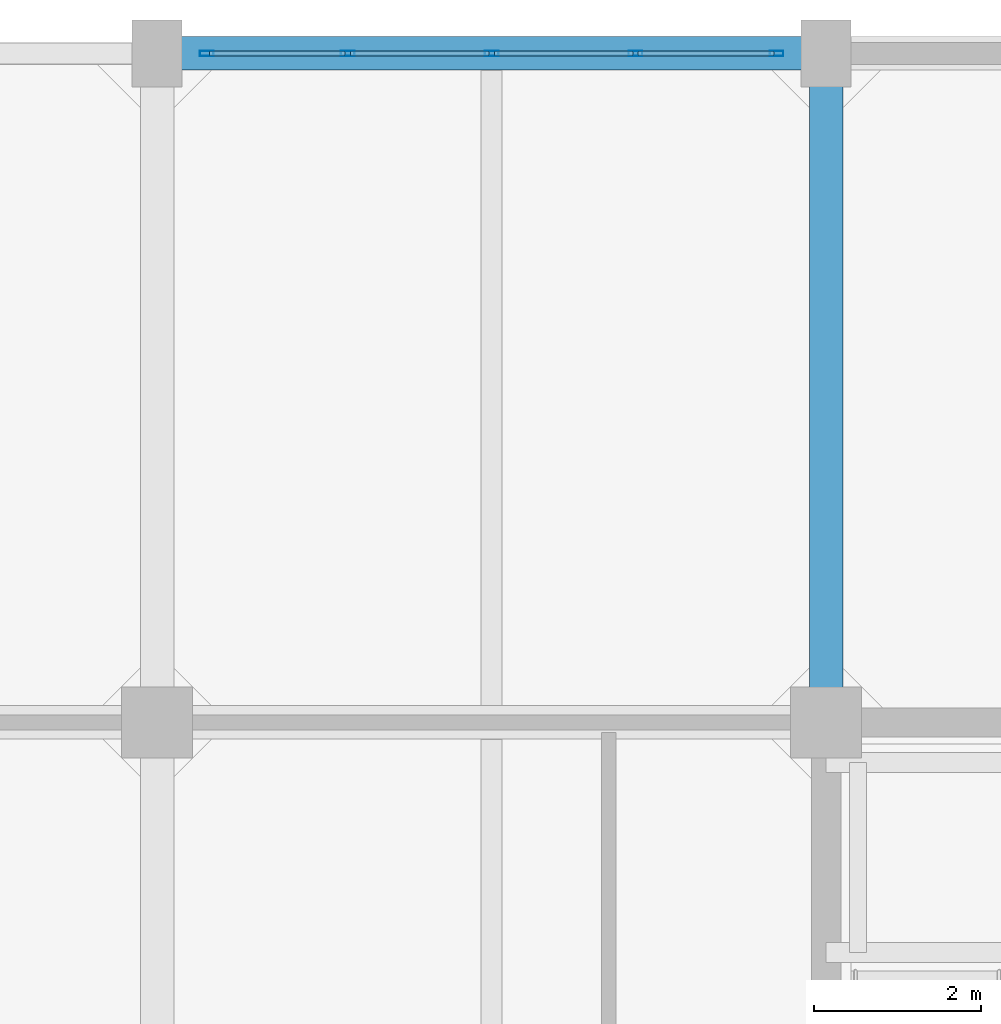
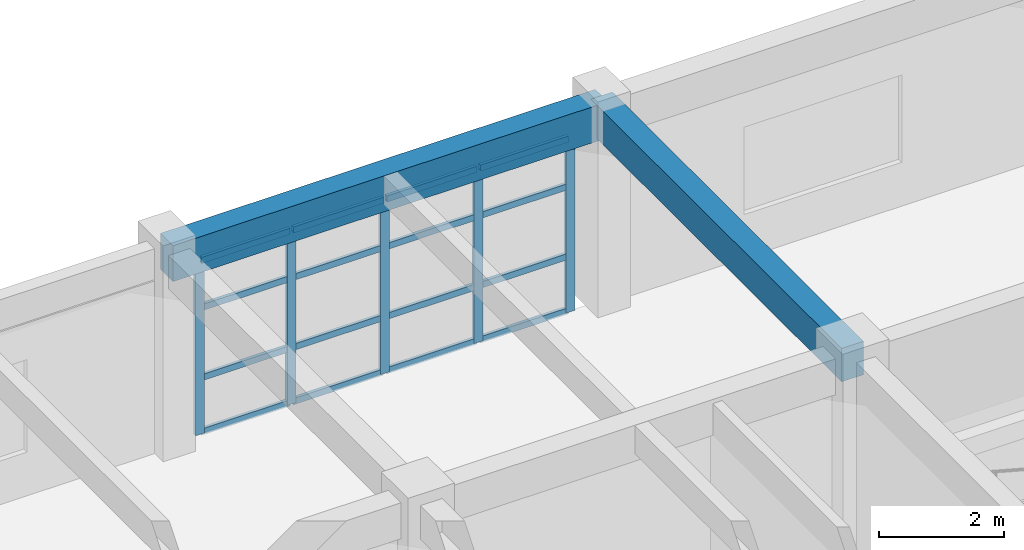
# One storey, part 15 of 27: 21 members, 2 beams, 1 element without a shape of its own.
"""IFC4 building model written with IfcOpenShell, lengths in metres."""

from ifc_helpers import new_model, si_unit, direction, frame, origin, origin_2d, place, context, subcontext, project, spatial, rectangle, hollow_rectangle, extrude, material, layer, layer_set, material_profile, profile_set, type_object, element, aggregate, save


model = new_model("IFC4")

# Units and contexts
model_context = context("Model", 3, precision=1e-05, world=origin(), true_north=direction((0.0, 1.0)))
body_context = subcontext(model_context, "Body", "Model", "MODEL_VIEW")
ifc_project = project(units=[si_unit("LENGTHUNIT", "METRE"), si_unit("AREAUNIT", "SQUARE_METRE"), si_unit("VOLUMEUNIT", "CUBIC_METRE"), si_unit("PLANEANGLEUNIT", "RADIAN"), si_unit("MASSUNIT", "GRAM", prefix="KILO")], contexts=[model_context])

# Site, building, storey
site_placement = place(None, origin())
site = spatial("IfcSite", under=ifc_project, at=site_placement, CompositionType="ELEMENT")
building_placement = place(site_placement, origin())
building = spatial("IfcBuilding", under=site, at=building_placement, Name="Canggui Botanical Conservatory", CompositionType="ELEMENT")
storey_placement = place(building_placement, frame((0.0, 0.0, 31.800048828125)))
storey = spatial("IfcBuildingStorey", under=building, at=storey_placement, Name="L08", CompositionType="ELEMENT", Elevation=31.800048828125)

# Beams
ifc_material_1 = material(Name="Concrete C35", Category="concrete")
ifc_material_profile_1 = material_profile(ifc_material_1, rectangle(XDim=0.39990234375, YDim=0.699951171875, at=origin_2d()), Name="RB 400x700")
ifc_profile_set_1 = profile_set([ifc_material_profile_1], Name="Concrete C35")
beam_type_1 = type_object("IfcBeamType", Name="BM-KL11", PredefinedType="BEAM", material=ifc_profile_set_1)
beam_1_placement = place(storey_placement, frame((146.0, 74.0, 3.6298828125), z_axis=(1.0, 0.0, 0.0), x_axis=(0.0, 1.0, 0.0)))
element("IfcBeam", 1, at=beam_1_placement, inside=storey, type_object=beam_type_1, Name="Frame Girder L08 Y74-2", PredefinedType="BEAM", context=body_context, shape_type="SweptSolid", body=[
    extrude(rectangle(XDim=0.39990234375, YDim=0.699951171875, at=origin_2d()), origin(), (0.0, 0.0, 1.0), 8.0),
])
ifc_material_profile_2 = material_profile(ifc_material_1, rectangle(XDim=0.39990234375, YDim=0.64990234375, at=origin_2d()), Name="RB 400x650")
ifc_profile_set_2 = profile_set([ifc_material_profile_2], Name="Concrete C35")
beam_type_2 = type_object("IfcBeamType", Name="BM-KL12", PredefinedType="BEAM", material=ifc_profile_set_2)
beam_2_placement = place(storey_placement, frame((154.0, 66.0, 3.655029296875), z_axis=(0.0, 1.0, 0.0), x_axis=(-1.0, 0.0, 0.0)))
element("IfcBeam", 2, at=beam_2_placement, inside=storey, type_object=beam_type_2, Name="Frame Girder L08 X154-5", PredefinedType="BEAM", context=body_context, shape_type="SweptSolid", body=[
    extrude(rectangle(XDim=0.39990234375, YDim=0.64990234375, at=origin_2d()), origin(), (0.0, 0.0, 1.0), 8.0),
])

# Curtain wall, members
ifc_material_2 = material(Name="Thermally Broken Aluminium", Category="aluminium")
ifc_layer = layer(ifc_material_2, 0.1650390625, Name="Thermally Broken Aluminium", Category="aluminium")
ifc_layer_set = layer_set([ifc_layer], Name="Thermally Broken Aluminium")
curtain_wall_type = type_object("IfcCurtainWallType", Name="CW-UNIT-B", PredefinedType="USERDEFINED", material=ifc_layer_set)
curtain_wall_placement = place(storey_placement, origin())
curtain_wall = element("IfcCurtainWall", 3, at=curtain_wall_placement, inside=storey, type_object=curtain_wall_type, Name="Facade Curtain Wall CW-TWR-L08-12", ObjectType="UNITISED CURTAIN WALL", PredefinedType="USERDEFINED")
ifc_material_profile_3 = material_profile(ifc_material_2, hollow_rectangle(XDim=0.06494140625, YDim=0.1650390625, WallThickness=0.00390625, at=origin_2d()), Name="CWM 65x165x4")
ifc_profile_set_3 = profile_set([ifc_material_profile_3], Name="Thermally Broken Aluminium")
member_type_1 = type_object("IfcMemberType", Name="CWM-02", PredefinedType="MULLION", material=ifc_profile_set_3)
member_1_placement = place(storey_placement, frame((146.592529296875, 74.0, 0.0), z_axis=(0.0, 0.0, 1.0), x_axis=(0.0, 1.0, 0.0)))
member_1 = element("IfcMember", 4, at=member_1_placement, type_object=member_type_1, Name="CW-02 mullion 1", PredefinedType="MULLION", context=body_context, shape_type="SweptSolid", body=[
    extrude(hollow_rectangle(XDim=0.06494140625, YDim=0.1650390625, WallThickness=0.00390625, at=origin_2d()), origin(), (0.0, 0.0, 1.0), 3.39990234375),
])
member_2_placement = place(storey_placement, frame((148.280029296875, 74.0, 0.0), z_axis=(0.0, 0.0, 1.0), x_axis=(0.0, 1.0, 0.0)))
member_2 = element("IfcMember", 5, at=member_2_placement, type_object=member_type_1, Name="CW-02 mullion 2", PredefinedType="MULLION", context=body_context, shape_type="SweptSolid", body=[
    extrude(hollow_rectangle(XDim=0.06494140625, YDim=0.1650390625, WallThickness=0.00390625, at=origin_2d()), origin(), (0.0, 0.0, 1.0), 3.39990234375),
])
member_3_placement = place(storey_placement, frame((150.0, 74.0, 0.0), z_axis=(0.0, 0.0, 1.0), x_axis=(0.0, 1.0, 0.0)))
member_3 = element("IfcMember", 6, at=member_3_placement, type_object=member_type_1, Name="CW-02 mullion 3", PredefinedType="MULLION", context=body_context, shape_type="SweptSolid", body=[
    extrude(hollow_rectangle(XDim=0.06494140625, YDim=0.1650390625, WallThickness=0.00390625, at=origin_2d()), origin(), (0.0, 0.0, 1.0), 3.39990234375),
])
member_4_placement = place(storey_placement, frame((151.719970703125, 74.0, 0.0), z_axis=(0.0, 0.0, 1.0), x_axis=(0.0, 1.0, 0.0)))
member_4 = element("IfcMember", 7, at=member_4_placement, type_object=member_type_1, Name="CW-02 mullion 4", PredefinedType="MULLION", context=body_context, shape_type="SweptSolid", body=[
    extrude(hollow_rectangle(XDim=0.06494140625, YDim=0.1650390625, WallThickness=0.00390625, at=origin_2d()), origin(), (0.0, 0.0, 1.0), 3.39990234375),
])
member_5_placement = place(storey_placement, frame((153.407470703125, 74.0, 0.0), z_axis=(0.0, 0.0, 1.0), x_axis=(0.0, 1.0, 0.0)))
member_5 = element("IfcMember", 8, at=member_5_placement, type_object=member_type_1, Name="CW-02 mullion 5", PredefinedType="MULLION", context=body_context, shape_type="SweptSolid", body=[
    extrude(hollow_rectangle(XDim=0.06494140625, YDim=0.1650390625, WallThickness=0.00390625, at=origin_2d()), origin(), (0.0, 0.0, 1.0), 3.39990234375),
])
ifc_material_profile_4 = material_profile(ifc_material_2, hollow_rectangle(XDim=0.06005859375, YDim=0.1201171875, WallThickness=0.00341796875, at=origin_2d()), Name="CWT 60x120x3.5")
ifc_profile_set_4 = profile_set([ifc_material_profile_4], Name="Thermally Broken Aluminium")
member_type_2 = type_object("IfcMemberType", Name="CWT-02", PredefinedType="USERDEFINED", material=ifc_profile_set_4)
member_6_placement = place(storey_placement, frame((146.625, 74.0, 0.030029296875), z_axis=(1.0, 0.0, 0.0), x_axis=(0.0, 1.0, 0.0)))
member_6 = element("IfcMember", 9, at=member_6_placement, type_object=member_type_2, Name="CW-02 transom 1.1", ObjectType="TRANSOM", PredefinedType="USERDEFINED", context=body_context, shape_type="SweptSolid", body=[
    extrude(hollow_rectangle(XDim=0.06005859375, YDim=0.1201171875, WallThickness=0.00341796875, at=origin_2d()), origin(), (0.0, 0.0, 1.0), 1.62255859375),
])
member_7_placement = place(storey_placement, frame((146.625, 74.0, 1.087890625), z_axis=(1.0, 0.0, 0.0), x_axis=(0.0, 1.0, 0.0)))
member_7 = element("IfcMember", 10, at=member_7_placement, type_object=member_type_2, Name="CW-02 transom 1.2", ObjectType="TRANSOM", PredefinedType="USERDEFINED", context=body_context, shape_type="SweptSolid", body=[
    extrude(hollow_rectangle(XDim=0.06005859375, YDim=0.1201171875, WallThickness=0.00341796875, at=origin_2d()), origin(), (0.0, 0.0, 1.0), 1.62255859375),
])
member_8_placement = place(storey_placement, frame((146.625, 74.0, 2.447998046875), z_axis=(1.0, 0.0, 0.0), x_axis=(0.0, 1.0, 0.0)))
member_8 = element("IfcMember", 11, at=member_8_placement, type_object=member_type_2, Name="CW-02 transom 1.3", ObjectType="TRANSOM", PredefinedType="USERDEFINED", context=body_context, shape_type="SweptSolid", body=[
    extrude(hollow_rectangle(XDim=0.06005859375, YDim=0.1201171875, WallThickness=0.00341796875, at=origin_2d()), origin(), (0.0, 0.0, 1.0), 1.62255859375),
])
member_9_placement = place(storey_placement, frame((146.625, 74.0, 3.369873046875), z_axis=(1.0, 0.0, 0.0), x_axis=(0.0, 1.0, 0.0)))
member_9 = element("IfcMember", 12, at=member_9_placement, type_object=member_type_2, Name="CW-02 transom 1.4", ObjectType="TRANSOM", PredefinedType="USERDEFINED", context=body_context, shape_type="SweptSolid", body=[
    extrude(hollow_rectangle(XDim=0.06005859375, YDim=0.1201171875, WallThickness=0.00341796875, at=origin_2d()), origin(), (0.0, 0.0, 1.0), 1.62255859375),
])
member_10_placement = place(storey_placement, frame((148.3125, 74.0, 0.030029296875), z_axis=(1.0, 0.0, 0.0), x_axis=(0.0, 1.0, 0.0)))
member_10 = element("IfcMember", 13, at=member_10_placement, type_object=member_type_2, Name="CW-02 transom 2.1", ObjectType="TRANSOM", PredefinedType="USERDEFINED", context=body_context, shape_type="SweptSolid", body=[
    extrude(hollow_rectangle(XDim=0.06005859375, YDim=0.1201171875, WallThickness=0.00341796875, at=origin_2d()), origin(), (0.0, 0.0, 1.0), 1.655029296875),
])
member_11_placement = place(storey_placement, frame((148.3125, 74.0, 1.087890625), z_axis=(1.0, 0.0, 0.0), x_axis=(0.0, 1.0, 0.0)))
member_11 = element("IfcMember", 14, at=member_11_placement, type_object=member_type_2, Name="CW-02 transom 2.2", ObjectType="TRANSOM", PredefinedType="USERDEFINED", context=body_context, shape_type="SweptSolid", body=[
    extrude(hollow_rectangle(XDim=0.06005859375, YDim=0.1201171875, WallThickness=0.00341796875, at=origin_2d()), origin(), (0.0, 0.0, 1.0), 1.655029296875),
])
member_12_placement = place(storey_placement, frame((148.3125, 74.0, 2.447998046875), z_axis=(1.0, 0.0, 0.0), x_axis=(0.0, 1.0, 0.0)))
member_12 = element("IfcMember", 15, at=member_12_placement, type_object=member_type_2, Name="CW-02 transom 2.3", ObjectType="TRANSOM", PredefinedType="USERDEFINED", context=body_context, shape_type="SweptSolid", body=[
    extrude(hollow_rectangle(XDim=0.06005859375, YDim=0.1201171875, WallThickness=0.00341796875, at=origin_2d()), origin(), (0.0, 0.0, 1.0), 1.655029296875),
])
member_13_placement = place(storey_placement, frame((148.3125, 74.0, 3.369873046875), z_axis=(1.0, 0.0, 0.0), x_axis=(0.0, 1.0, 0.0)))
member_13 = element("IfcMember", 16, at=member_13_placement, type_object=member_type_2, Name="CW-02 transom 2.4", ObjectType="TRANSOM", PredefinedType="USERDEFINED", context=body_context, shape_type="SweptSolid", body=[
    extrude(hollow_rectangle(XDim=0.06005859375, YDim=0.1201171875, WallThickness=0.00341796875, at=origin_2d()), origin(), (0.0, 0.0, 1.0), 1.655029296875),
])
member_14_placement = place(storey_placement, frame((150.032470703125, 74.0, 0.030029296875), z_axis=(1.0, 0.0, 0.0), x_axis=(0.0, 1.0, 0.0)))
member_14 = element("IfcMember", 17, at=member_14_placement, type_object=member_type_2, Name="CW-02 transom 3.1", ObjectType="TRANSOM", PredefinedType="USERDEFINED", context=body_context, shape_type="SweptSolid", body=[
    extrude(hollow_rectangle(XDim=0.06005859375, YDim=0.1201171875, WallThickness=0.00341796875, at=origin_2d()), origin(), (0.0, 0.0, 1.0), 1.655029296875),
])
member_15_placement = place(storey_placement, frame((150.032470703125, 74.0, 1.087890625), z_axis=(1.0, 0.0, 0.0), x_axis=(0.0, 1.0, 0.0)))
member_15 = element("IfcMember", 18, at=member_15_placement, type_object=member_type_2, Name="CW-02 transom 3.2", ObjectType="TRANSOM", PredefinedType="USERDEFINED", context=body_context, shape_type="SweptSolid", body=[
    extrude(hollow_rectangle(XDim=0.06005859375, YDim=0.1201171875, WallThickness=0.00341796875, at=origin_2d()), origin(), (0.0, 0.0, 1.0), 1.655029296875),
])
member_16_placement = place(storey_placement, frame((150.032470703125, 74.0, 2.447998046875), z_axis=(1.0, 0.0, 0.0), x_axis=(0.0, 1.0, 0.0)))
member_16 = element("IfcMember", 19, at=member_16_placement, type_object=member_type_2, Name="CW-02 transom 3.3", ObjectType="TRANSOM", PredefinedType="USERDEFINED", context=body_context, shape_type="SweptSolid", body=[
    extrude(hollow_rectangle(XDim=0.06005859375, YDim=0.1201171875, WallThickness=0.00341796875, at=origin_2d()), origin(), (0.0, 0.0, 1.0), 1.655029296875),
])
member_17_placement = place(storey_placement, frame((150.032470703125, 74.0, 3.369873046875), z_axis=(1.0, 0.0, 0.0), x_axis=(0.0, 1.0, 0.0)))
member_17 = element("IfcMember", 20, at=member_17_placement, type_object=member_type_2, Name="CW-02 transom 3.4", ObjectType="TRANSOM", PredefinedType="USERDEFINED", context=body_context, shape_type="SweptSolid", body=[
    extrude(hollow_rectangle(XDim=0.06005859375, YDim=0.1201171875, WallThickness=0.00341796875, at=origin_2d()), origin(), (0.0, 0.0, 1.0), 1.655029296875),
])
member_18_placement = place(storey_placement, frame((151.75244140625, 74.0, 0.030029296875), z_axis=(1.0, 0.0, 0.0), x_axis=(0.0, 1.0, 0.0)))
member_18 = element("IfcMember", 21, at=member_18_placement, type_object=member_type_2, Name="CW-02 transom 4.1", ObjectType="TRANSOM", PredefinedType="USERDEFINED", context=body_context, shape_type="SweptSolid", body=[
    extrude(hollow_rectangle(XDim=0.06005859375, YDim=0.1201171875, WallThickness=0.00341796875, at=origin_2d()), origin(), (0.0, 0.0, 1.0), 1.62255859375),
])
member_19_placement = place(storey_placement, frame((151.75244140625, 74.0, 1.087890625), z_axis=(1.0, 0.0, 0.0), x_axis=(0.0, 1.0, 0.0)))
member_19 = element("IfcMember", 22, at=member_19_placement, type_object=member_type_2, Name="CW-02 transom 4.2", ObjectType="TRANSOM", PredefinedType="USERDEFINED", context=body_context, shape_type="SweptSolid", body=[
    extrude(hollow_rectangle(XDim=0.06005859375, YDim=0.1201171875, WallThickness=0.00341796875, at=origin_2d()), origin(), (0.0, 0.0, 1.0), 1.62255859375),
])
member_20_placement = place(storey_placement, frame((151.75244140625, 74.0, 2.447998046875), z_axis=(1.0, 0.0, 0.0), x_axis=(0.0, 1.0, 0.0)))
member_20 = element("IfcMember", 23, at=member_20_placement, type_object=member_type_2, Name="CW-02 transom 4.3", ObjectType="TRANSOM", PredefinedType="USERDEFINED", context=body_context, shape_type="SweptSolid", body=[
    extrude(hollow_rectangle(XDim=0.06005859375, YDim=0.1201171875, WallThickness=0.00341796875, at=origin_2d()), origin(), (0.0, 0.0, 1.0), 1.62255859375),
])
member_21_placement = place(storey_placement, frame((151.75244140625, 74.0, 3.369873046875), z_axis=(1.0, 0.0, 0.0), x_axis=(0.0, 1.0, 0.0)))
member_21 = element("IfcMember", 24, at=member_21_placement, type_object=member_type_2, Name="CW-02 transom 4.4", ObjectType="TRANSOM", PredefinedType="USERDEFINED", context=body_context, shape_type="SweptSolid", body=[
    extrude(hollow_rectangle(XDim=0.06005859375, YDim=0.1201171875, WallThickness=0.00341796875, at=origin_2d()), origin(), (0.0, 0.0, 1.0), 1.62255859375),
])
aggregate(curtain_wall, [member_1, member_2, member_3, member_4, member_5, member_6, member_7, member_8, member_9, member_10, member_11, member_12, member_13, member_14, member_15, member_16, member_17, member_18, member_19, member_20, member_21])

save(model, "model.ifc")
